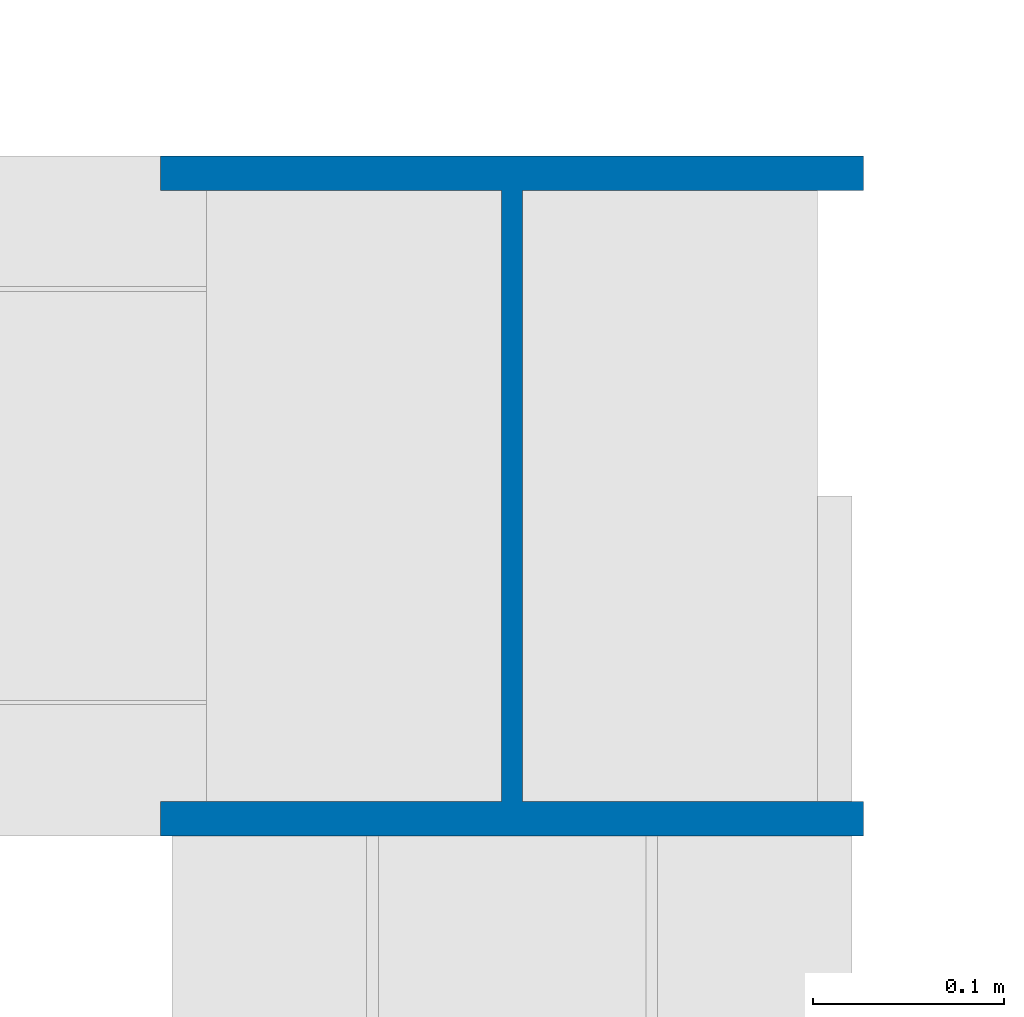
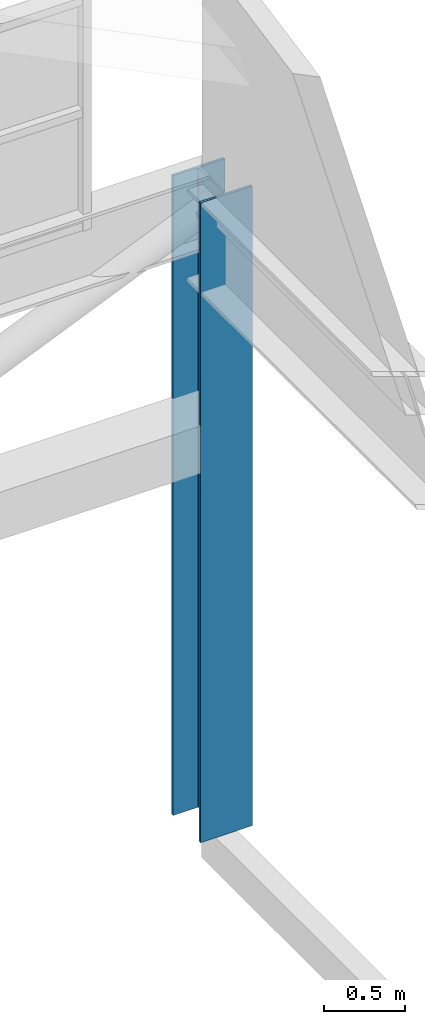
# One storey, part 26 of 159: 1 column.
"""IFC4 building model written with IfcOpenShell, lengths in metres."""

from ifc_helpers import new_model, si_unit, direction, frame, origin, origin_2d, place, context, subcontext, project, spatial, i_section, extrude, material, material_profile, profile_set, type_object, element, save


model = new_model("IFC4")

# Units and contexts
model_context = context("Model", 3, precision=1e-05, world=origin(), true_north=direction((0.0, 1.0)))
body_context = subcontext(model_context, "Body", "Model", "MODEL_VIEW")
ifc_project = project(units=[si_unit("LENGTHUNIT", "METRE"), si_unit("AREAUNIT", "SQUARE_METRE"), si_unit("VOLUMEUNIT", "CUBIC_METRE"), si_unit("PLANEANGLEUNIT", "RADIAN"), si_unit("MASSUNIT", "GRAM", prefix="KILO")], contexts=[model_context])

# Site, building, storey
site_placement = place(None, origin())
site = spatial("IfcSite", under=ifc_project, at=site_placement, CompositionType="ELEMENT")
building_placement = place(site_placement, origin())
building = spatial("IfcBuilding", under=site, at=building_placement, Name="Cazmaro Siding Exhibition Halls", CompositionType="ELEMENT")
storey_placement = place(building_placement, frame((0.0, 0.0, 6.0)))
storey = spatial("IfcBuildingStorey", under=building, at=storey_placement, Name="L01", CompositionType="ELEMENT", Elevation=6.0)

# Column
ifc_material = material(Name="Steel ASTM A992 Grade 50", Category="steel")
ifc_material_profile = material_profile(ifc_material, i_section(OverallWidth=0.367919921875, OverallDepth=0.35595703125, WebThickness=0.010986328125, FlangeThickness=0.01806640625, at=origin_2d()), Name="W14X90")
ifc_profile_set = profile_set([ifc_material_profile], Name="Steel ASTM A992 Grade 50")
column_type = type_object("IfcColumnType", Name="C-05", PredefinedType="COLUMN", material=ifc_profile_set)
column_placement = place(storey_placement, frame((216.0, 118.0, 0.0), z_axis=(0.0, 0.0, 1.0), x_axis=(1.0, 0.0, 0.0)))
element("IfcColumn", 1, at=column_placement, inside=storey, type_object=column_type, Name="Column C-05 COL-0704", PredefinedType="COLUMN", context=body_context, shape_type="SweptSolid", body=[
    extrude(i_section(OverallWidth=0.367919921875, OverallDepth=0.35595703125, WebThickness=0.010986328125, FlangeThickness=0.01806640625, at=origin_2d()), origin(), (0.0, 0.0, 1.0), 4.800048828125),
])

save(model, "model.ifc")
